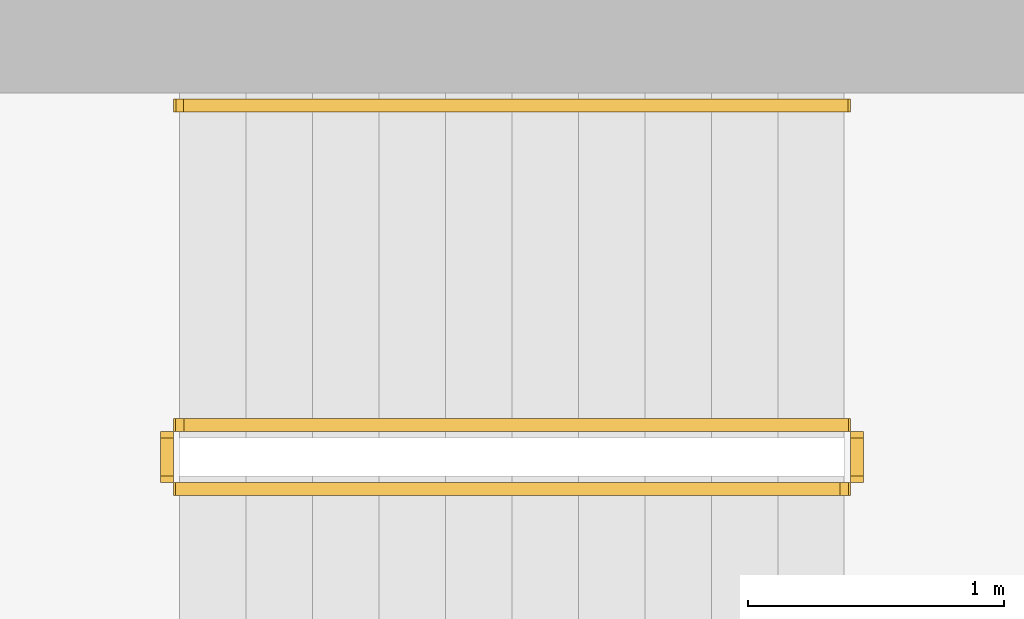
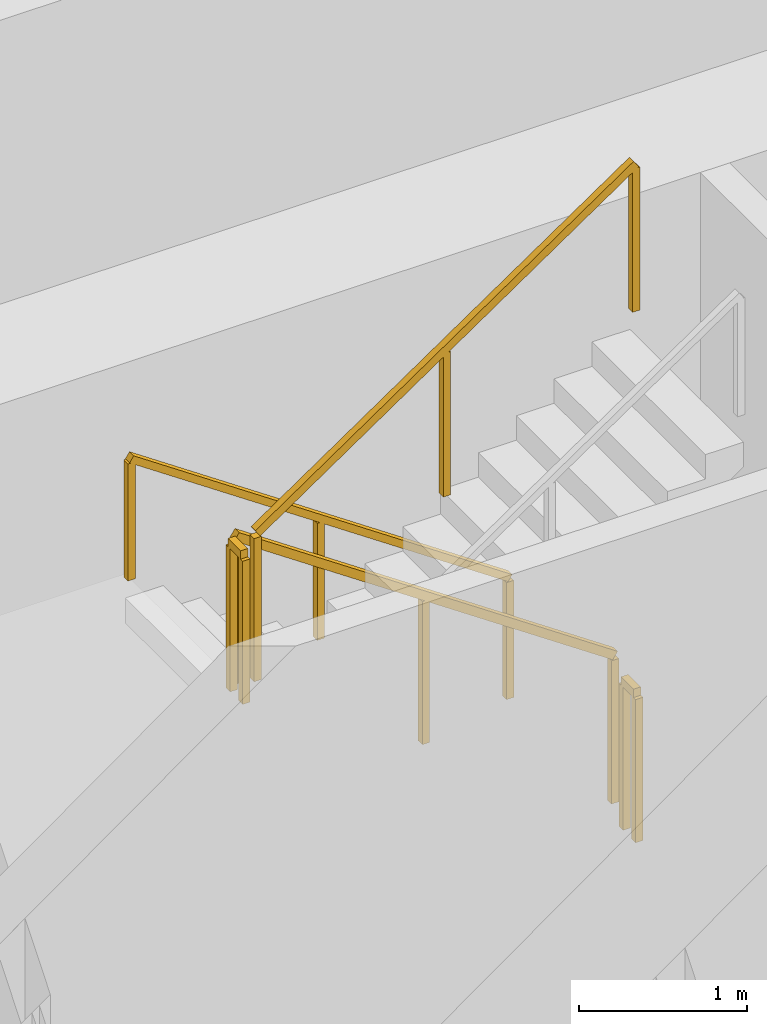
# One storey, part 13 of 14: 5 railings.
"""IFC4 building model written with IfcOpenShell, lengths in metres."""

from ifc_helpers import new_model, si_unit, direction, frame, origin, origin_2d, place, context, subcontext, project, spatial, rectangle, extrude, material, type_object, element, save


model = new_model("IFC4")

# Units and contexts
model_context = context("Model", 3, precision=1e-05, world=origin(), true_north=direction((0.0, 1.0)))
body_context = subcontext(model_context, "Body", "Model", "MODEL_VIEW")
ifc_project = project(units=[si_unit("LENGTHUNIT", "METRE"), si_unit("AREAUNIT", "SQUARE_METRE"), si_unit("VOLUMEUNIT", "CUBIC_METRE"), si_unit("PLANEANGLEUNIT", "RADIAN"), si_unit("MASSUNIT", "GRAM", prefix="KILO")], contexts=[model_context])

# Site, building, storey
site_placement = place(None, origin())
site = spatial("IfcSite", under=ifc_project, at=site_placement, CompositionType="ELEMENT")
building_placement = place(site_placement, origin())
building = spatial("IfcBuilding", under=site, at=building_placement, Name="Khepri Terraces", CompositionType="ELEMENT")
storey_placement = place(building_placement, frame((0.0, 0.0, 110.39990234375)))
storey = spatial("IfcBuildingStorey", under=building, at=storey_placement, Name="L26", CompositionType="ELEMENT", Elevation=110.39990234375)

# Railings
ifc_material = material(Name="Stainless steel 316", Category="steel")
railing_type_1 = type_object("IfcRailingType", Name="RL-CORE-GUARD", PredefinedType="GUARDRAIL", material=ifc_material)
railing_1_placement = place(storey_placement, frame((-0.25, 8.800048828125, 0.177490234375)))
element("IfcRailing", 1, at=railing_1_placement, inside=storey, type_object=railing_type_1, Name="L26 ST-3 stair guard 1", PredefinedType="GUARDRAIL", context=body_context, shape_type="SweptSolid", body=[
    extrude(rectangle(XDim=0.050048828125, YDim=0.06005859375, at=origin_2d()), frame((0.0, 0.0, 1.070068359375), z_axis=(-0.826240473404, 0.0, 0.563317565952), x_axis=(0.0, -1.0, 0.0)), (0.0, 0.0, 1.0), 3.14697265625),
    extrude(rectangle(XDim=0.050048828125, YDim=0.050048828125, at=origin_2d()), origin(), (0.0, 0.0, 1.0), 1.0400390625),
    extrude(rectangle(XDim=0.050048828125, YDim=0.050048828125, at=origin_2d()), frame((-1.300048828125, 0.0, 0.88623046875)), (0.0, 0.0, 1.0), 1.0400390625),
    extrude(rectangle(XDim=0.050048828125, YDim=0.050048828125, at=origin_2d()), frame((-2.60009765625, 0.0, 1.772705078125)), (0.0, 0.0, 1.0), 1.0400390625),
])
railing_2_placement = place(storey_placement, frame((-2.89990234375, 8.75, 1.9501953125)))
element("IfcRailing", 2, at=railing_2_placement, inside=storey, type_object=railing_type_1, Name="L26 ST-3 stair guard 2", PredefinedType="GUARDRAIL", context=body_context, shape_type="SweptSolid", body=[
    extrude(rectangle(XDim=0.050048828125, YDim=0.06005859375, at=origin_2d()), frame((0.0, 0.0, 1.070068359375), z_axis=(0.0, -1.0, 0.0), x_axis=(1.0, 0.0, 0.0)), (0.0, 0.0, 1.0), 0.14990234375),
    extrude(rectangle(XDim=0.050048828125, YDim=0.050048828125, at=origin_2d()), origin(), (0.0, 0.0, 1.0), 1.0400390625),
    extrude(rectangle(XDim=0.050048828125, YDim=0.050048828125, at=origin_2d()), frame((0.0, -0.14990234375, 0.0)), (0.0, 0.0, 1.0), 1.0400390625),
])
railing_3_placement = place(storey_placement, frame((-2.85009765625, 8.550048828125, 2.12744140625)))
element("IfcRailing", 3, at=railing_3_placement, inside=storey, type_object=railing_type_1, Name="L26 ST-3 stair guard 3", PredefinedType="GUARDRAIL", context=body_context, shape_type="SweptSolid", body=[
    extrude(rectangle(XDim=0.050048828125, YDim=0.06005859375, at=origin_2d()), frame((0.0, 0.0, 1.070068359375), z_axis=(0.826240473404, 0.0, 0.563317565952), x_axis=(0.0, 1.0, 0.0)), (0.0, 0.0, 1.0), 3.14697265625),
    extrude(rectangle(XDim=0.050048828125, YDim=0.050048828125, at=origin_2d()), origin(), (0.0, 0.0, 1.0), 1.0400390625),
    extrude(rectangle(XDim=0.050048828125, YDim=0.050048828125, at=origin_2d()), frame((1.300048828125, 0.0, 0.88623046875)), (0.0, 0.0, 1.0), 1.0400390625),
    extrude(rectangle(XDim=0.050048828125, YDim=0.050048828125, at=origin_2d()), frame((2.60009765625, 0.0, 1.772705078125)), (0.0, 0.0, 1.0), 1.0400390625),
])
railing_4_placement = place(storey_placement, frame((-0.199951171875, 8.75, 0.0)))
element("IfcRailing", 4, at=railing_4_placement, inside=storey, type_object=railing_type_1, Name="L26 ST-3 stair guard 4", PredefinedType="GUARDRAIL", context=body_context, shape_type="SweptSolid", body=[
    extrude(rectangle(XDim=0.050048828125, YDim=0.06005859375, at=origin_2d()), frame((0.0, 0.0, 1.070068359375), z_axis=(0.0, -1.0, 0.0), x_axis=(1.0, 0.0, 0.0)), (0.0, 0.0, 1.0), 0.14990234375),
    extrude(rectangle(XDim=0.050048828125, YDim=0.050048828125, at=origin_2d()), origin(), (0.0, 0.0, 1.0), 1.0400390625),
    extrude(rectangle(XDim=0.050048828125, YDim=0.050048828125, at=origin_2d()), frame((0.0, -0.14990234375, 0.0)), (0.0, 0.0, 1.0), 1.0400390625),
])
railing_type_2 = type_object("IfcRailingType", Name="RL-CORE-HANDRAIL", PredefinedType="HANDRAIL", material=ifc_material)
railing_5_placement = place(storey_placement, frame((-0.25, 10.050048828125, 0.177490234375)))
element("IfcRailing", 5, at=railing_5_placement, inside=storey, type_object=railing_type_2, Name="L26 ST-3 stair handrail 1", PredefinedType="HANDRAIL", context=body_context, shape_type="SweptSolid", body=[
    extrude(rectangle(XDim=0.050048828125, YDim=0.050048828125, at=origin_2d()), frame((0.0, 0.0, 0.875), z_axis=(-0.826240473404, 0.0, 0.563317565952), x_axis=(0.0, -1.0, 0.0)), (0.0, 0.0, 1.0), 3.14697265625),
    extrude(rectangle(XDim=0.050048828125, YDim=0.050048828125, at=origin_2d()), origin(), (0.0, 0.0, 1.0), 0.849853515625),
    extrude(rectangle(XDim=0.050048828125, YDim=0.050048828125, at=origin_2d()), frame((-1.300048828125, 0.0, 0.88623046875)), (0.0, 0.0, 1.0), 0.849853515625),
    extrude(rectangle(XDim=0.050048828125, YDim=0.050048828125, at=origin_2d()), frame((-2.60009765625, 0.0, 1.772705078125)), (0.0, 0.0, 1.0), 0.849853515625),
])

save(model, "model.ifc")
